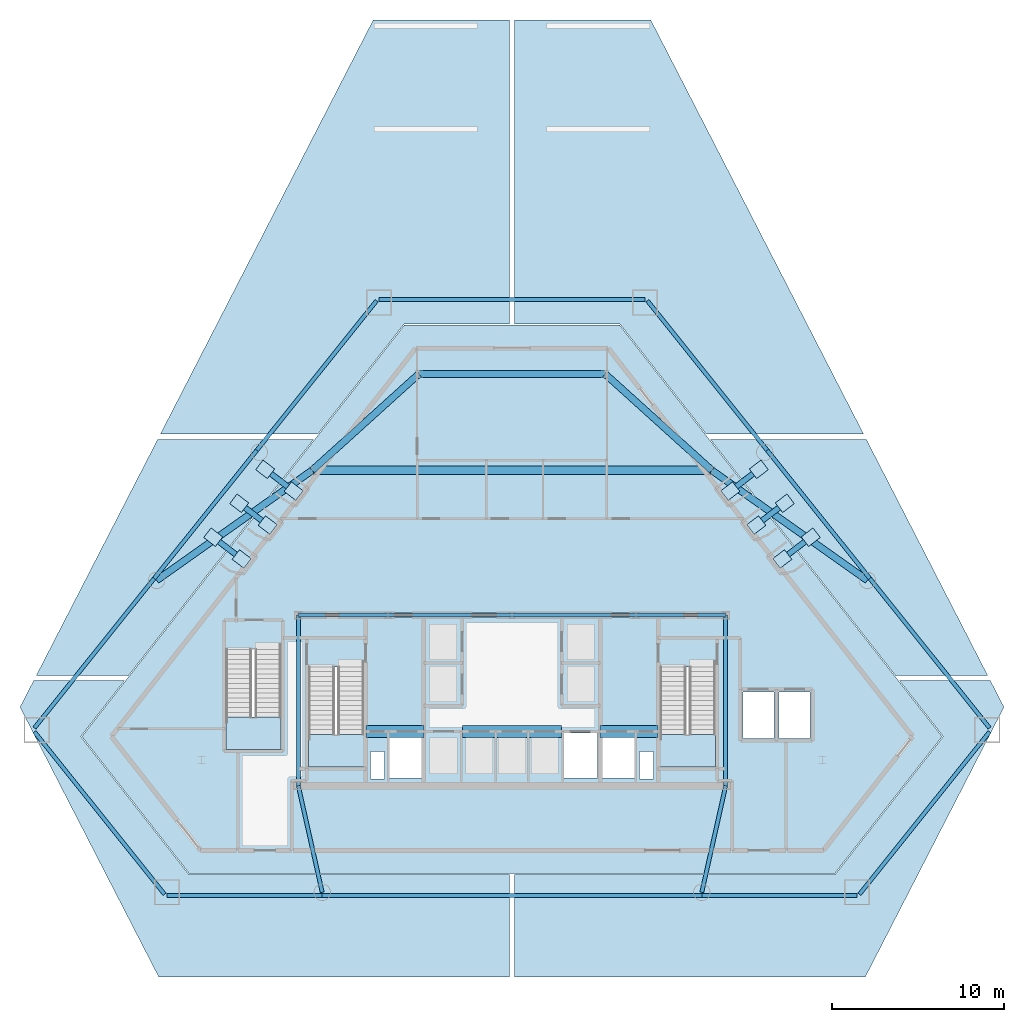
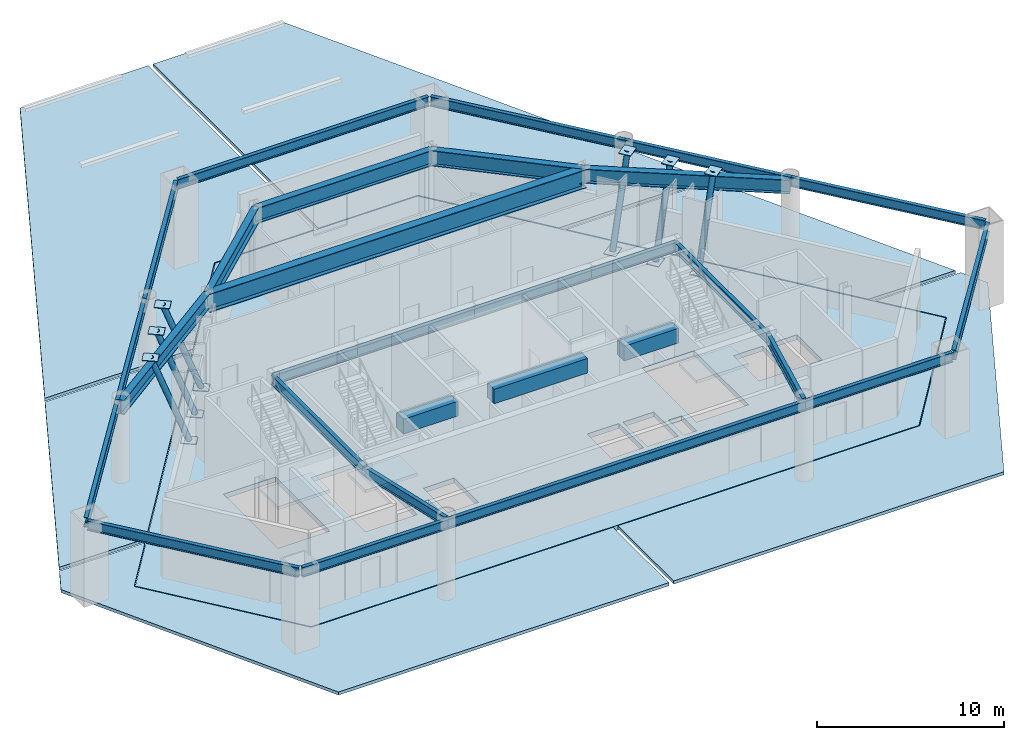
# One storey, part 3 of 9: 29 beams, 12 plates, 10 slabs, 6 members, 3 elements without a shape of their own.
"""IFC4 building model written with IfcOpenShell, lengths in metres."""

from ifc_helpers import new_model, si_unit, direction, frame, origin, origin_2d, place, context, subcontext, project, spatial, polyline, rectangle, hollow_circle, i_section, outline, extrude, material, layer, layer_set, material_profile, profile_set, type_object, element, aggregate, save


model = new_model("IFC4")

# Units and contexts
model_context = context("Model", 3, precision=1e-05, world=origin(), true_north=direction((0.0, 1.0)))
body_context = subcontext(model_context, "Body", "Model", "MODEL_VIEW")
ifc_project = project(units=[si_unit("LENGTHUNIT", "METRE"), si_unit("AREAUNIT", "SQUARE_METRE"), si_unit("VOLUMEUNIT", "CUBIC_METRE"), si_unit("PLANEANGLEUNIT", "RADIAN"), si_unit("MASSUNIT", "GRAM", prefix="KILO")], contexts=[model_context])

# Site, building, storey
site_placement = place(None, origin())
site = spatial("IfcSite", under=ifc_project, at=site_placement, CompositionType="ELEMENT")
building_placement = place(site_placement, origin())
building = spatial("IfcBuilding", under=site, at=building_placement, Name="Talgorran Terracotta Tower", CompositionType="ELEMENT")
storey_placement = place(building_placement, origin())
storey = spatial("IfcBuildingStorey", under=building, at=storey_placement, Name="L00", CompositionType="ELEMENT", Elevation=0.0)

# Beams
ifc_material_1 = material(Name="Steel Grade 350 (350L0)", Category="steel")
ifc_material_profile_1 = material_profile(ifc_material_1, i_section(OverallWidth=0.39990234375, OverallDepth=1.0, WebThickness=0.01611328125, FlangeThickness=0.031005859375, at=origin_2d()), Name="1000WB296")
ifc_profile_set_1 = profile_set([ifc_material_profile_1], Name="Steel Grade 350 (350L0)")
beam_type_1 = type_object("IfcBeamType", Name="BM_1000WB296", PredefinedType="BEAM", material=ifc_profile_set_1)
for number, where, z_axis, x_axis, name in (
    (1, (-11.60009765625, 4.199951171875, 4.6201171875), (0.742107331558, 0.670281066754, 0.0), (-0.670281066754, 0.742107331558, 0.0), "L00 Podium Girder PG2"),
    (2, (11.60009765625, 4.199951171875, 4.6201171875), (-0.742107331558, 0.670281066754, 0.0), (-0.670281066754, -0.742107331558, 0.0), "L00 Podium Girder PG3"),
):
    element("IfcBeam", number, at=place(storey_placement, frame(where, z_axis=z_axis, x_axis=x_axis)), inside=storey, type_object=beam_type_1, Name=name, PredefinedType="BEAM", context=body_context, shape_type="SweptSolid", body=[
        extrude(i_section(OverallWidth=0.39990234375, OverallDepth=1.0, WebThickness=0.01611328125, FlangeThickness=0.031005859375, at=origin_2d()), origin(), (0.0, 0.0, 1.0), 8.354736328125),
    ])
beam_1_placement = place(storey_placement, frame((-5.39990234375, 9.800048828125, 4.6201171875), z_axis=(1.0, 0.0, 0.0), x_axis=(0.0, 1.0, 0.0)))
element("IfcBeam", 3, at=beam_1_placement, inside=storey, type_object=beam_type_1, Name="L00 Podium Girder PG4", PredefinedType="BEAM", context=body_context, shape_type="SweptSolid", body=[
    extrude(i_section(OverallWidth=0.39990234375, OverallDepth=1.0, WebThickness=0.01611328125, FlangeThickness=0.031005859375, at=origin_2d()), origin(), (0.0, 0.0, 1.0), 10.7998046875),
])
ifc_material_profile_2 = material_profile(ifc_material_1, i_section(OverallWidth=0.5, OverallDepth=1.199951171875, WebThickness=0.01611328125, FlangeThickness=0.035888671875, at=origin_2d()), Name="1200WB392")
ifc_profile_set_2 = profile_set([ifc_material_profile_2], Name="Steel Grade 350 (350L0)")
beam_type_2 = type_object("IfcBeamType", Name="BM_1200WB392", PredefinedType="BEAM", material=ifc_profile_set_2)
beam_2_placement = place(storey_placement, frame((-11.60009765625, 4.199951171875, 4.52001953125), z_axis=(1.0, 0.0, 0.0), x_axis=(0.0, 1.0, 0.0)))
element("IfcBeam", 4, at=beam_2_placement, inside=storey, type_object=beam_type_2, Name="L00 Podium Girder PG1", PredefinedType="BEAM", context=body_context, shape_type="SweptSolid", body=[
    extrude(i_section(OverallWidth=0.5, OverallDepth=1.199951171875, WebThickness=0.01611328125, FlangeThickness=0.035888671875, at=origin_2d()), origin(), (0.0, 0.0, 1.0), 23.2001953125),
])
ifc_material_profile_3 = material_profile(ifc_material_1, i_section(OverallWidth=0.39990234375, OverallDepth=0.907958984375, WebThickness=0.01611328125, FlangeThickness=0.02490234375, at=origin_2d()), Name="900WB257")
ifc_profile_set_3 = profile_set([ifc_material_profile_3], Name="Steel Grade 350 (350L0)")
beam_type_3 = type_object("IfcBeamType", Name="BM_900WB257", PredefinedType="BEAM", material=ifc_profile_set_3)
for number, where, z_axis, x_axis, name in (
    (5, (-20.620361328125, -2.1787109375, 4.666015625), (0.816480686171, 0.577372747113, 0.0), (-0.577372747113, 0.816480686171, 0.0), "L00 Podium Girder PG7"),
    (6, (20.620361328125, -2.1787109375, 4.666015625), (-0.816480686171, 0.577372747113, 0.0), (-0.577372747113, -0.816480686171, 0.0), "L00 Podium Girder PG8"),
):
    element("IfcBeam", number, at=place(storey_placement, frame(where, z_axis=z_axis, x_axis=x_axis)), inside=storey, type_object=beam_type_3, Name=name, PredefinedType="BEAM", context=body_context, shape_type="SweptSolid", body=[
        extrude(i_section(OverallWidth=0.39990234375, OverallDepth=0.907958984375, WebThickness=0.01611328125, FlangeThickness=0.02490234375, at=origin_2d()), origin(), (0.0, 0.0, 1.0), 11.0478515625),
    ])
ifc_material_2 = material(Name="Concrete C65/80", Category="concrete")
ifc_material_profile_4 = material_profile(ifc_material_2, rectangle(XDim=0.699951171875, YDim=0.949951171875, at=origin_2d()), Name="RCCB700X950")
ifc_profile_set_4 = profile_set([ifc_material_profile_4], Name="Concrete C65/80")
beam_type_4 = type_object("IfcBeamType", Name="BM_CB_700X950", PredefinedType="LINTEL", material=ifc_profile_set_4)
beam_3_placement = place(storey_placement, frame((-8.47998046875, -10.949951171875, 4.64501953125), z_axis=(1.0, 0.0, 0.0), x_axis=(0.0, 1.0, 0.0)))
element("IfcBeam", 7, at=beam_3_placement, inside=storey, type_object=beam_type_4, Name="L00 Core Shear-Wall Coupling Beam CB1", PredefinedType="LINTEL", context=body_context, shape_type="SweptSolid", body=[
    extrude(rectangle(XDim=0.699951171875, YDim=0.949951171875, at=origin_2d()), origin(), (0.0, 0.0, 1.0), 3.35986328125),
])
beam_4_placement = place(storey_placement, frame((-2.8798828125, -10.949951171875, 4.64501953125), z_axis=(1.0, 0.0, 0.0), x_axis=(0.0, 1.0, 0.0)))
element("IfcBeam", 8, at=beam_4_placement, inside=storey, type_object=beam_type_4, Name="L00 Core Shear-Wall Coupling Beam CB2", PredefinedType="LINTEL", context=body_context, shape_type="SweptSolid", body=[
    extrude(rectangle(XDim=0.699951171875, YDim=0.949951171875, at=origin_2d()), origin(), (0.0, 0.0, 1.0), 5.759765625),
])
beam_5_placement = place(storey_placement, frame((5.1201171875, -10.949951171875, 4.64501953125), z_axis=(1.0, 0.0, 0.0), x_axis=(0.0, 1.0, 0.0)))
element("IfcBeam", 9, at=beam_5_placement, inside=storey, type_object=beam_type_4, Name="L00 Core Shear-Wall Coupling Beam CB3", PredefinedType="LINTEL", context=body_context, shape_type="SweptSolid", body=[
    extrude(rectangle(XDim=0.699951171875, YDim=0.949951171875, at=origin_2d()), origin(), (0.0, 0.0, 1.0), 3.35986328125),
])
ifc_material_3 = material(Name="Steel S355 (300PLUS)", Category="steel")
ifc_material_profile_5 = material_profile(ifc_material_3, i_section(OverallWidth=0.22900390625, OverallDepth=0.611572265625, WebThickness=0.011962890625, FlangeThickness=0.01953125, at=origin_2d()), Name="610UB125")
ifc_profile_set_5 = profile_set([ifc_material_profile_5], Name="Steel S355 (300PLUS)")
beam_type_5 = type_object("IfcBeamType", Name="BM_SP_610UB125", PredefinedType="SPANDREL", material=ifc_profile_set_5)
beam_6_placement = place(storey_placement, frame((-27.710205078125, -10.968505859375, 4.814208984375), z_axis=(0.625116627788, -0.780531358539, 0.0), x_axis=(0.780531358539, 0.625116627788, 0.0)))
element("IfcBeam", 10, at=beam_6_placement, inside=storey, type_object=beam_type_5, Name="L00 Perimeter Spandrel Beam MC1-MC2", PredefinedType="SPANDREL", context=body_context, shape_type="SweptSolid", body=[
    extrude(i_section(OverallWidth=0.22900390625, OverallDepth=0.611572265625, WebThickness=0.011962890625, FlangeThickness=0.01953125, at=origin_2d()), origin(), (0.0, 0.0, 1.0), 12.073974609375),
])
beam_7_placement = place(storey_placement, frame((-20.022216796875, -20.4599609375, 4.814208984375), z_axis=(1.0, 0.0, 0.0), x_axis=(0.0, 1.0, 0.0)))
element("IfcBeam", 11, at=beam_7_placement, inside=storey, type_object=beam_type_5, Name="L00 Perimeter Spandrel Beam MC2-FC1", PredefinedType="SPANDREL", context=body_context, shape_type="SweptSolid", body=[
    extrude(i_section(OverallWidth=0.22900390625, OverallDepth=0.611572265625, WebThickness=0.011962890625, FlangeThickness=0.01953125, at=origin_2d()), origin(), (0.0, 0.0, 1.0), 9.010009765625),
])
beam_8_placement = place(storey_placement, frame((-11.01220703125, -20.4599609375, 4.814208984375), z_axis=(1.0, 0.0, 0.0), x_axis=(0.0, 1.0, 0.0)))
element("IfcBeam", 12, at=beam_8_placement, inside=storey, type_object=beam_type_5, Name="L00 Perimeter Spandrel Beam FC1-FC2", PredefinedType="SPANDREL", context=body_context, shape_type="SweptSolid", body=[
    extrude(i_section(OverallWidth=0.22900390625, OverallDepth=0.611572265625, WebThickness=0.011962890625, FlangeThickness=0.01953125, at=origin_2d()), origin(), (0.0, 0.0, 1.0), 22.0244140625),
])
beam_9_placement = place(storey_placement, frame((11.01220703125, -20.4599609375, 4.814208984375), z_axis=(1.0, 0.0, 0.0), x_axis=(0.0, 1.0, 0.0)))
element("IfcBeam", 13, at=beam_9_placement, inside=storey, type_object=beam_type_5, Name="L00 Perimeter Spandrel Beam FC2-MC3", PredefinedType="SPANDREL", context=body_context, shape_type="SweptSolid", body=[
    extrude(i_section(OverallWidth=0.22900390625, OverallDepth=0.611572265625, WebThickness=0.011962890625, FlangeThickness=0.01953125, at=origin_2d()), origin(), (0.0, 0.0, 1.0), 9.010009765625),
])
beam_10_placement = place(storey_placement, frame((20.16259765625, -20.392578125, 4.814208984375), z_axis=(0.625116627788, 0.780531358539, 0.0), x_axis=(-0.780531358539, 0.625116627788, 0.0)))
element("IfcBeam", 14, at=beam_10_placement, inside=storey, type_object=beam_type_5, Name="L00 Perimeter Spandrel Beam MC3-MC4", PredefinedType="SPANDREL", context=body_context, shape_type="SweptSolid", body=[
    extrude(i_section(OverallWidth=0.22900390625, OverallDepth=0.611572265625, WebThickness=0.011962890625, FlangeThickness=0.01953125, at=origin_2d()), origin(), (0.0, 0.0, 1.0), 12.073974609375),
])
beam_11_placement = place(storey_placement, frame((27.710205078125, -10.743408203125, 4.814208984375), z_axis=(-0.625126142132, 0.780523738539, 0.0), x_axis=(-0.780523738539, -0.625126142132, 0.0)))
element("IfcBeam", 15, at=beam_11_placement, inside=storey, type_object=beam_type_5, Name="L00 Perimeter Spandrel Beam MC4-FC3", PredefinedType="SPANDREL", context=body_context, shape_type="SweptSolid", body=[
    extrude(i_section(OverallWidth=0.22900390625, OverallDepth=0.611572265625, WebThickness=0.011962890625, FlangeThickness=0.01953125, at=origin_2d()), origin(), (0.0, 0.0, 1.0), 11.116943359375),
])
beam_12_placement = place(storey_placement, frame((20.7607421875, -2.06640625, 4.814208984375), z_axis=(-0.625101149619, 0.780543754536, 0.0), x_axis=(-0.780543754536, -0.625101149619, 0.0)))
element("IfcBeam", 16, at=beam_12_placement, inside=storey, type_object=beam_type_5, Name="L00 Perimeter Spandrel Beam FC3-FC4", PredefinedType="SPANDREL", context=body_context, shape_type="SweptSolid", body=[
    extrude(i_section(OverallWidth=0.22900390625, OverallDepth=0.611572265625, WebThickness=0.011962890625, FlangeThickness=0.01953125, at=origin_2d()), origin(), (0.0, 0.0, 1.0), 9.52880859375),
])
beam_13_placement = place(storey_placement, frame((14.80419921875, 5.371337890625, 4.814208984375), z_axis=(-0.625115426811, 0.780532320383, 0.0), x_axis=(-0.780532320383, -0.625115426811, 0.0)))
element("IfcBeam", 17, at=beam_13_placement, inside=storey, type_object=beam_type_5, Name="L00 Perimeter Spandrel Beam FC4-MC5", PredefinedType="SPANDREL", context=body_context, shape_type="SweptSolid", body=[
    extrude(i_section(OverallWidth=0.22900390625, OverallDepth=0.611572265625, WebThickness=0.011962890625, FlangeThickness=0.01953125, at=origin_2d()), origin(), (0.0, 0.0, 1.0), 11.1171875),
])
beam_14_placement = place(storey_placement, frame((7.714111328125, 14.115966796875, 4.814208984375), z_axis=(-1.0, 0.0, 0.0), x_axis=(0.0, -1.0, 0.0)))
element("IfcBeam", 18, at=beam_14_placement, inside=storey, type_object=beam_type_5, Name="L00 Perimeter Spandrel Beam MC5-MC6", PredefinedType="SPANDREL", context=body_context, shape_type="SweptSolid", body=[
    extrude(i_section(OverallWidth=0.22900390625, OverallDepth=0.611572265625, WebThickness=0.011962890625, FlangeThickness=0.01953125, at=origin_2d()), origin(), (0.0, 0.0, 1.0), 15.42822265625),
])
beam_15_placement = place(storey_placement, frame((-7.854736328125, 14.048583984375, 4.814208984375), z_axis=(-0.625115426811, -0.780532320383, 0.0), x_axis=(0.780532320383, -0.625115426811, 0.0)))
element("IfcBeam", 19, at=beam_15_placement, inside=storey, type_object=beam_type_5, Name="L00 Perimeter Spandrel Beam MC6-FC5", PredefinedType="SPANDREL", context=body_context, shape_type="SweptSolid", body=[
    extrude(i_section(OverallWidth=0.22900390625, OverallDepth=0.611572265625, WebThickness=0.011962890625, FlangeThickness=0.01953125, at=origin_2d()), origin(), (0.0, 0.0, 1.0), 11.1171875),
])
beam_16_placement = place(storey_placement, frame((-14.80419921875, 5.371337890625, 4.814208984375), z_axis=(-0.625101149619, -0.780543754536, 0.0), x_axis=(0.780543754536, -0.625101149619, 0.0)))
element("IfcBeam", 20, at=beam_16_placement, inside=storey, type_object=beam_type_5, Name="L00 Perimeter Spandrel Beam FC5-FC6", PredefinedType="SPANDREL", context=body_context, shape_type="SweptSolid", body=[
    extrude(i_section(OverallWidth=0.22900390625, OverallDepth=0.611572265625, WebThickness=0.011962890625, FlangeThickness=0.01953125, at=origin_2d()), origin(), (0.0, 0.0, 1.0), 9.52880859375),
])
beam_17_placement = place(storey_placement, frame((-20.7607421875, -2.06640625, 4.814208984375), z_axis=(-0.625126142132, -0.780523738539, 0.0), x_axis=(0.780523738539, -0.625126142132, 0.0)))
element("IfcBeam", 21, at=beam_17_placement, inside=storey, type_object=beam_type_5, Name="L00 Perimeter Spandrel Beam FC6-MC1", PredefinedType="SPANDREL", context=body_context, shape_type="SweptSolid", body=[
    extrude(i_section(OverallWidth=0.22900390625, OverallDepth=0.611572265625, WebThickness=0.011962890625, FlangeThickness=0.01953125, at=origin_2d()), origin(), (0.0, 0.0, 1.0), 11.116943359375),
])
for number, where, z_axis, x_axis, name in (
    (22, (-11.01220703125, -20.280029296875, 4.814208984375), (-0.219093011867, 0.975703977726, 0.0), (-0.975703977726, -0.219093011867, 0.0), "L00 South-West Core Tie Beam"),
    (23, (12.39990234375, -14.10009765625, 4.814208984375), (-0.219093011867, -0.975703977726, 0.0), (0.975703977726, -0.219093011867, 0.0), "L00 South-East Core Tie Beam"),
):
    element("IfcBeam", number, at=place(storey_placement, frame(where, z_axis=z_axis, x_axis=x_axis)), inside=storey, type_object=beam_type_5, Name=name, PredefinedType="SPANDREL", context=body_context, shape_type="SweptSolid", body=[
        extrude(i_section(OverallWidth=0.22900390625, OverallDepth=0.611572265625, WebThickness=0.011962890625, FlangeThickness=0.01953125, at=origin_2d()), origin(), (0.0, 0.0, 1.0), 6.333740234375),
    ])
for number, where, z_axis, x_axis, name in (
    (24, (-12.39990234375, -14.10009765625, 4.814208984375), (0.0, 1.0, 0.0), (-1.0, 0.0, 0.0), "L00 Core Frame Beam CFW"),
    (25, (12.39990234375, -14.10009765625, 4.814208984375), (0.0, 1.0, 0.0), (-1.0, 0.0, 0.0), "L00 Core Frame Beam CFE"),
):
    element("IfcBeam", number, at=place(storey_placement, frame(where, z_axis=z_axis, x_axis=x_axis)), inside=storey, type_object=beam_type_5, Name=name, PredefinedType="SPANDREL", context=body_context, shape_type="SweptSolid", body=[
        extrude(i_section(OverallWidth=0.22900390625, OverallDepth=0.611572265625, WebThickness=0.011962890625, FlangeThickness=0.01953125, at=origin_2d()), origin(), (0.0, 0.0, 1.0), 9.900146484375),
    ])
beam_18_placement = place(storey_placement, frame((-12.39990234375, -4.199951171875, 4.814208984375), z_axis=(1.0, 0.0, 0.0), x_axis=(0.0, 1.0, 0.0)))
element("IfcBeam", 26, at=beam_18_placement, inside=storey, type_object=beam_type_5, Name="L00 Core Frame Beam CFN1", PredefinedType="SPANDREL", context=body_context, shape_type="SweptSolid", body=[
    extrude(i_section(OverallWidth=0.22900390625, OverallDepth=0.611572265625, WebThickness=0.011962890625, FlangeThickness=0.01953125, at=origin_2d()), origin(), (0.0, 0.0, 1.0), 5.199951171875),
])
for number, where, z_axis, x_axis, name in (
    (27, (-7.199951171875, -4.199951171875, 4.814208984375), (1.0, 0.0, 0.0), (0.0, 1.0, 0.0), "L00 Core Frame Beam CFN2"),
    (28, (0.0, -4.199951171875, 4.814208984375), (1.0, 0.0, 0.0), (0.0, 1.0, 0.0), "L00 Core Frame Beam CFN3"),
):
    element("IfcBeam", number, at=place(storey_placement, frame(where, z_axis=z_axis, x_axis=x_axis)), inside=storey, type_object=beam_type_5, Name=name, PredefinedType="SPANDREL", context=body_context, shape_type="SweptSolid", body=[
        extrude(i_section(OverallWidth=0.22900390625, OverallDepth=0.611572265625, WebThickness=0.011962890625, FlangeThickness=0.01953125, at=origin_2d()), origin(), (0.0, 0.0, 1.0), 7.199951171875),
    ])
beam_19_placement = place(storey_placement, frame((7.199951171875, -4.199951171875, 4.814208984375), z_axis=(1.0, 0.0, 0.0), x_axis=(0.0, 1.0, 0.0)))
element("IfcBeam", 29, at=beam_19_placement, inside=storey, type_object=beam_type_5, Name="L00 Core Frame Beam CFN4", PredefinedType="SPANDREL", context=body_context, shape_type="SweptSolid", body=[
    extrude(i_section(OverallWidth=0.22900390625, OverallDepth=0.611572265625, WebThickness=0.011962890625, FlangeThickness=0.01953125, at=origin_2d()), origin(), (0.0, 0.0, 1.0), 5.199951171875),
])

# Members
ifc_material_4 = material(Name="Steel S350 (C350L0)", Category="steel")
ifc_material_profile_6 = material_profile(ifc_material_4, hollow_circle(Radius=0.161865234375, WallThickness=0.0126953125, at=origin_2d()), Name="CHS323.9X12.7")
ifc_profile_set_6 = profile_set([ifc_material_profile_6], Name="Steel S350 (C350L0)")
member_type = type_object("IfcMemberType", Name="MB_CANOPY_STRUT", PredefinedType="STRUT", material=ifc_profile_set_6)
for number, where, z_axis, x_axis, name in (
    (30, (15.685791015625, -0.93896484375, 0.0048828125), (0.294569336549, 0.225620163141, 0.928614262194), (-0.608064284992, 0.79388779139, 0.0), "Entry Portico Raking Strut NE-1"),
    (31, (14.177734375, 1.02978515625, 0.0048828125), (0.294609112396, 0.225617268216, 0.928602347174), (-0.608007621967, 0.793931188221, 0.0), "Entry Portico Raking Strut NE-2"),
    (32, (12.669677734375, 2.99853515625, 0.0048828125), (0.294609112396, 0.225617268216, 0.928602347174), (-0.608007621967, 0.793931188221, 0.0), "Entry Portico Raking Strut NE-3"),
    (33, (-12.669677734375, 2.99853515625, 0.0048828125), (-0.294609112396, 0.225617268216, 0.928602347174), (-0.608007621967, -0.793931188221, 0.0), "Entry Portico Raking Strut NW-1"),
    (34, (-14.177734375, 1.02978515625, 0.0048828125), (-0.294609112396, 0.225617268216, 0.928602347174), (-0.608007621967, -0.793931188221, 0.0), "Entry Portico Raking Strut NW-2"),
    (35, (-15.685791015625, -0.93896484375, 0.0048828125), (-0.294569336549, 0.225620163141, 0.928614262194), (-0.608064284992, -0.79388779139, 0.0), "Entry Portico Raking Strut NW-3"),
):
    element("IfcMember", number, at=place(storey_placement, frame(where, z_axis=z_axis, x_axis=x_axis)), inside=storey, type_object=member_type, Name=name, PredefinedType="STRUT", context=body_context, shape_type="SweptSolid", body=[
        extrude(hollow_circle(Radius=0.161865234375, WallThickness=0.0126953125, at=origin_2d()), origin(), (0.0, 0.0, 1.0), 5.605224609375),
    ])

# Plates
ifc_layer_1 = layer(ifc_material_1, 0.035888671875, Name="PL_GUS_MN09")
ifc_layer_set_1 = layer_set([ifc_layer_1], Name="Steel Grade 350 (350L0)")
plate_type = type_object("IfcPlateType", Name="PL_GUS_MN09", PredefinedType="SHEET", material=ifc_layer_set_1)
for number, where, z_axis, x_axis, name in (
    (36, (15.685791015625, -0.93896484375, -0.01318359375), (0.0, 0.0, 1.0), (0.793884282702, 0.608068865901, 0.0), "Canopy Strut Base Plate NE1 Bot"),
    (37, (17.3369140625, 0.32568359375, 5.19189453125), (0.0, 0.0, 1.0), (0.793884282702, 0.608068865901, 0.0), "Canopy Strut Cap NE1 Top"),
    (38, (14.177734375, 1.02978515625, -0.01318359375), (0.0, 0.0, 1.0), (0.793884282702, 0.608068865901, 0.0), "Canopy Strut Base Plate NE2 Bot"),
    (39, (15.8291015625, 2.29443359375, 5.19189453125), (0.0, 0.0, 1.0), (0.793884282702, 0.608068865901, 0.0), "Canopy Strut Cap NE2 Top"),
    (40, (12.669677734375, 2.99853515625, -0.01318359375), (0.0, 0.0, 1.0), (0.793884282702, 0.608068865901, 0.0), "Canopy Strut Base Plate NE3 Bot"),
    (41, (14.321044921875, 4.26318359375, 5.19189453125), (0.0, 0.0, 1.0), (0.793884282702, 0.608068865901, 0.0), "Canopy Strut Cap NE3 Top"),
    (42, (-12.669677734375, 2.99853515625, -0.01318359375), (0.0, 0.0, 1.0), (-0.793884282702, 0.608068865901, 0.0), "Canopy Strut Base Plate NW1 Bot"),
    (43, (-14.321044921875, 4.26318359375, 5.19189453125), (0.0, 0.0, 1.0), (-0.793884282702, 0.608068865901, 0.0), "Canopy Strut Cap NW1 Top"),
    (44, (-14.177734375, 1.02978515625, -0.01318359375), (0.0, 0.0, 1.0), (-0.793884282702, 0.608068865901, 0.0), "Canopy Strut Base Plate NW2 Bot"),
    (45, (-15.8291015625, 2.29443359375, 5.19189453125), (0.0, 0.0, 1.0), (-0.793884282702, 0.608068865901, 0.0), "Canopy Strut Cap NW2 Top"),
    (46, (-15.685791015625, -0.93896484375, -0.01318359375), (0.0, 0.0, 1.0), (-0.793884282702, 0.608068865901, 0.0), "Canopy Strut Base Plate NW3 Bot"),
    (47, (-17.3369140625, 0.32568359375, 5.19189453125), (0.0, 0.0, 1.0), (-0.793884282702, 0.608068865901, 0.0), "Canopy Strut Cap NW3 Top"),
):
    element("IfcPlate", number, at=place(storey_placement, frame(where, z_axis=z_axis, x_axis=x_axis)), inside=storey, type_object=plate_type, Name=name, PredefinedType="SHEET", context=body_context, shape_type="SweptSolid", body=[
        extrude(rectangle(XDim=0.85009765625, YDim=0.699951171875, at=origin_2d()), origin(), (0.0, 0.0, 1.0), 0.035888671875),
    ])

# Stair, slab
ifc_material_5 = material(Name="Concrete C40/50", Category="concrete")
stair_type_1 = type_object("IfcStairType", Name="ST_FIRE_SCISSOR", PredefinedType="HALF_TURN_STAIR", material=ifc_material_5)
stair_1_placement = place(storey_placement, origin())
stair_1 = element("IfcStair", 48, at=stair_1_placement, inside=storey, type_object=stair_type_1, Name="L00 West Protected Fire Stair ST-01", PredefinedType="HALF_TURN_STAIR")
ifc_layer_2 = layer(ifc_material_5, 0.199951171875, Name="SL_LANDING_200")
ifc_layer_set_2 = layer_set([ifc_layer_2], Name="Concrete C40/50")
slab_type_1 = type_object("IfcSlabType", Name="SL_LANDING_200", PredefinedType="LANDING", material=ifc_layer_set_2)
slab_1_placement = place(storey_placement, frame((0.0, 0.0, 2.5)))
slab_1 = element("IfcSlab", 49, at=slab_1_placement, type_object=slab_type_1, Name="ST-01 landing 1", PredefinedType="LANDING", context=body_context, shape_type="SweptSolid", body=[
    extrude(outline(polyline([(-11.800048828125, -11.1201171875), (-11.800048828125, -13.0), (-8.60009765625, -13.0), (-8.60009765625, -11.1201171875), (-11.800048828125, -11.1201171875)])), origin(), (0.0, 0.0, 1.0), 0.199951171875),
])
aggregate(stair_1, [slab_1])

stair_2_placement = place(storey_placement, origin())
stair_2 = element("IfcStair", 50, at=stair_2_placement, inside=storey, type_object=stair_type_1, Name="L00 East Protected Fire Stair ST-02", PredefinedType="HALF_TURN_STAIR")
slab_2_placement = place(storey_placement, frame((0.0, 0.0, 2.5)))
slab_2 = element("IfcSlab", 51, at=slab_2_placement, type_object=slab_type_1, Name="ST-02 landing 1", PredefinedType="LANDING", context=body_context, shape_type="SweptSolid", body=[
    extrude(outline(polyline([(8.60009765625, -11.1201171875), (8.60009765625, -13.0), (11.800048828125, -13.0), (11.800048828125, -11.1201171875), (8.60009765625, -11.1201171875)])), origin(), (0.0, 0.0, 1.0), 0.199951171875),
])
aggregate(stair_2, [slab_2])

stair_type_2 = type_object("IfcStairType", Name="ST_PODIUM_DOGLEG", PredefinedType="HALF_TURN_STAIR", material=ifc_material_5)
stair_3_placement = place(storey_placement, origin())
stair_3 = element("IfcStair", 52, at=stair_3_placement, inside=storey, type_object=stair_type_2, Name="L00 Podium Health Fire Stair ST-03", PredefinedType="HALF_TURN_STAIR")
slab_3_placement = place(storey_placement, frame((0.0, 0.0, 2.5)))
slab_3 = element("IfcSlab", 53, at=slab_3_placement, type_object=slab_type_1, Name="ST-03 landing 1", PredefinedType="LANDING", context=body_context, shape_type="SweptSolid", body=[
    extrude(outline(polyline([(-16.60009765625, -10.1201171875), (-16.60009765625, -12.0), (-13.39990234375, -12.0), (-13.39990234375, -10.1201171875), (-16.60009765625, -10.1201171875)])), origin(), (0.0, 0.0, 1.0), 0.199951171875),
])
aggregate(stair_3, [slab_3])

# Slabs
ifc_layer_3 = layer(ifc_material_5, 0.199951171875, Name="SL_PLAZA_200")
ifc_layer_set_3 = layer_set([ifc_layer_3], Name="Concrete C40/50")
slab_type_2 = type_object("IfcSlabType", Name="SL_PLAZA_200", PredefinedType="USERDEFINED", material=ifc_layer_set_3)
slab_4_placement = place(storey_placement, frame((0.0, 0.0, -0.199951171875)))
element("IfcSlab", 54, at=slab_4_placement, inside=storey, type_object=slab_type_2, Name="Open Stilts Civic Forecourt Paving Bay SW", ObjectType="PAVING", PredefinedType="USERDEFINED", context=body_context, shape_type="SweptSolid", body=[
    extrude(outline(polyline([(-0.14990234375, -25.199951171875), (-0.14990234375, -19.25), (-18.719970703125, -19.25), (-18.72509765625, -19.249755859375), (-18.72998046875, -19.2490234375), (-18.73486328125, -19.247802734375), (-18.739501953125, -19.24609375), (-18.744140625, -19.243896484375), (-18.748291015625, -19.2412109375), (-18.75244140625, -19.238037109375), (-18.756103515625, -19.234619140625), (-18.759521484375, -19.230712890625), (-24.99951171875, -11.270751953125), (-25.002197265625, -11.26708984375), (-25.00439453125, -11.262939453125), (-25.00634765625, -11.258544921875), (-25.008056640625, -11.254150390625), (-25.009033203125, -11.24951171875), (-25.009765625, -11.24462890625), (-25.010009765625, -11.239990234375), (-25.009765625, -11.2353515625), (-25.009033203125, -11.230712890625), (-25.008056640625, -11.225830078125), (-25.00634765625, -11.221435546875), (-25.00439453125, -11.217041015625), (-25.002197265625, -11.212890625), (-24.99951171875, -11.209228515625), (-22.483642578125, -8.0), (-27.75830078125, -8.0), (-28.548095703125, -9.535888671875), (-20.49609375, -25.199951171875), (-0.14990234375, -25.199951171875)])), origin(), (0.0, 0.0, 1.0), 0.199951171875),
])
slab_5_placement = place(storey_placement, frame((0.0, 0.0, -0.199951171875)))
element("IfcSlab", 55, at=slab_5_placement, inside=storey, type_object=slab_type_2, Name="Open Stilts Civic Forecourt Paving Bay SE", ObjectType="PAVING", PredefinedType="USERDEFINED", context=body_context, shape_type="SweptSolid", body=[
    extrude(outline(polyline([(27.75830078125, -8.0), (22.483642578125, -8.0), (24.99951171875, -11.209228515625), (25.002197265625, -11.212890625), (25.00439453125, -11.217041015625), (25.00634765625, -11.221435546875), (25.008056640625, -11.225830078125), (25.009033203125, -11.230712890625), (25.009765625, -11.2353515625), (25.010009765625, -11.239990234375), (25.009765625, -11.24462890625), (25.009033203125, -11.24951171875), (25.008056640625, -11.254150390625), (25.00634765625, -11.258544921875), (25.00439453125, -11.262939453125), (25.002197265625, -11.26708984375), (24.99951171875, -11.270751953125), (18.759521484375, -19.230712890625), (18.756103515625, -19.234619140625), (18.75244140625, -19.238037109375), (18.748291015625, -19.2412109375), (18.744140625, -19.243896484375), (18.739501953125, -19.24609375), (18.73486328125, -19.247802734375), (18.72998046875, -19.2490234375), (18.72509765625, -19.249755859375), (18.719970703125, -19.25), (0.14990234375, -19.25), (0.14990234375, -25.199951171875), (20.49609375, -25.199951171875), (28.548095703125, -9.535888671875), (27.75830078125, -8.0)])), origin(), (0.0, 0.0, 1.0), 0.199951171875),
])
slab_6_placement = place(storey_placement, frame((0.0, 0.0, -0.199951171875)))
element("IfcSlab", 56, at=slab_6_placement, inside=storey, type_object=slab_type_2, Name="Open Stilts Civic Forecourt Paving Bay WM", ObjectType="PAVING", PredefinedType="USERDEFINED", context=body_context, shape_type="SweptSolid", body=[
    extrude(outline(polyline([(-27.604248046875, -7.699951171875), (-22.24853515625, -7.699951171875), (-11.5087890625, 6.0), (-20.561767578125, 6.0), (-27.604248046875, -7.699951171875)])), origin(), (0.0, 0.0, 1.0), 0.199951171875),
])
slab_7_placement = place(storey_placement, frame((0.0, 0.0, -0.199951171875)))
element("IfcSlab", 57, at=slab_7_placement, inside=storey, type_object=slab_type_2, Name="Open Stilts Civic Forecourt Paving Bay EM", ObjectType="PAVING", PredefinedType="USERDEFINED", context=body_context, shape_type="SweptSolid", body=[
    extrude(outline(polyline([(20.561767578125, 6.0), (11.5087890625, 6.0), (22.24853515625, -7.699951171875), (27.604248046875, -7.699951171875), (20.561767578125, 6.0)])), origin(), (0.0, 0.0, 1.0), 0.199951171875),
])
slab_8_placement = place(storey_placement, frame((0.0, 0.0, -0.199951171875)))
element("IfcSlab", 58, at=slab_8_placement, inside=storey, type_object=slab_type_2, Name="Open Stilts Civic Forecourt Paving Bay NW", ObjectType="PAVING", PredefinedType="USERDEFINED", context=body_context, shape_type="SweptSolid", body=[
    extrude(outline(polyline([(-8.052001953125, 30.3359375), (-20.40771484375, 6.300048828125), (-11.273681640625, 6.300048828125), (-6.279296875, 12.6708984375), (-6.276123046875, 12.674560546875), (-6.2724609375, 12.677978515625), (-6.268310546875, 12.68115234375), (-6.26416015625, 12.683837890625), (-6.259521484375, 12.68603515625), (-6.2548828125, 12.687744140625), (-6.25, 12.68896484375), (-6.2451171875, 12.689697265625), (-6.239990234375, 12.68994140625), (-0.14990234375, 12.68994140625), (-0.14990234375, 30.3359375), (-8.052001953125, 30.3359375)])), origin(), (0.0, 0.0, 1.0), 0.199951171875),
])
slab_9_placement = place(storey_placement, frame((0.0, 0.0, -0.199951171875)))
element("IfcSlab", 59, at=slab_9_placement, inside=storey, type_object=slab_type_2, Name="Open Stilts Civic Forecourt Paving Bay NE", ObjectType="PAVING", PredefinedType="USERDEFINED", context=body_context, shape_type="SweptSolid", body=[
    extrude(outline(polyline([(0.14990234375, 30.3359375), (0.14990234375, 12.68994140625), (6.239990234375, 12.68994140625), (6.2451171875, 12.689697265625), (6.25, 12.68896484375), (6.2548828125, 12.687744140625), (6.259521484375, 12.68603515625), (6.26416015625, 12.683837890625), (6.268310546875, 12.68115234375), (6.2724609375, 12.677978515625), (6.276123046875, 12.674560546875), (6.279296875, 12.6708984375), (11.273681640625, 6.300048828125), (20.40771484375, 6.300048828125), (8.052001953125, 30.3359375), (0.14990234375, 30.3359375)])), origin(), (0.0, 0.0, 1.0), 0.199951171875),
])
ifc_material_6 = material(Name="Concrete C50/60", Category="concrete")
ifc_layer_4 = layer(ifc_material_6, 0.320068359375, Name="SL_PODIUM_320")
ifc_layer_set_4 = layer_set([ifc_layer_4], Name="Concrete C50/60")
slab_type_3 = type_object("IfcSlabType", Name="SL_PODIUM_320", PredefinedType="FLOOR", material=ifc_layer_set_4)
slab_10_placement = place(storey_placement, frame((0.0, 0.0, -0.320068359375)))
element("IfcSlab", 60, at=slab_10_placement, inside=storey, type_object=slab_type_3, Name="Storey L00 Structural Floor Slab", PredefinedType="FLOOR", context=body_context, shape_type="SweptSolid", body=[
    extrude(outline(polyline([(-24.9599609375, -11.239990234375), (-18.719970703125, -19.199951171875), (18.719970703125, -19.199951171875), (24.9599609375, -11.239990234375), (6.239990234375, 12.639892578125), (-6.239990234375, 12.639892578125), (-24.9599609375, -11.239990234375)]), holes=[polyline([(-11.800048828125, -7.199951171875), (-11.800048828125, -13.0), (-8.60009765625, -13.0), (-8.60009765625, -7.199951171875), (-11.800048828125, -7.199951171875)]), polyline([(8.60009765625, -7.199951171875), (8.60009765625, -13.0), (11.800048828125, -13.0), (11.800048828125, -7.199951171875), (8.60009765625, -7.199951171875)]), polyline([(-16.60009765625, -6.199951171875), (-16.60009765625, -12.0), (-13.39990234375, -12.0), (-13.39990234375, -6.199951171875), (-16.60009765625, -6.199951171875)]), polyline([(-7.10009765625, -13.64990234375), (-5.199951171875, -13.64990234375), (-5.199951171875, -11.050048828125), (-7.10009765625, -11.050048828125), (-7.10009765625, -13.64990234375)]), polyline([(5.199951171875, -13.64990234375), (7.10009765625, -13.64990234375), (7.10009765625, -11.050048828125), (5.199951171875, -11.050048828125), (5.199951171875, -13.64990234375)]), polyline([(3.0, -13.64990234375), (4.949951171875, -13.64990234375), (4.949951171875, -11.050048828125), (3.0, -11.050048828125), (3.0, -13.64990234375)]), polyline([(13.39990234375, -11.35009765625), (15.199951171875, -11.35009765625), (15.199951171875, -8.64990234375), (13.39990234375, -8.64990234375), (13.39990234375, -11.35009765625)]), polyline([(15.5, -11.35009765625), (17.300048828125, -11.35009765625), (17.300048828125, -8.64990234375), (15.5, -8.64990234375), (15.5, -11.35009765625)]), polyline([(-8.199951171875, -13.699951171875), (-7.39990234375, -13.699951171875), (-7.39990234375, -12.10009765625), (-8.199951171875, -12.10009765625), (-8.199951171875, -13.699951171875)]), polyline([(7.39990234375, -13.699951171875), (8.199951171875, -13.699951171875), (8.199951171875, -12.10009765625), (7.39990234375, -12.10009765625), (7.39990234375, -13.699951171875)])]), origin(), (0.0, 0.0, 1.0), 0.320068359375),
])

save(model, "model.ifc")
